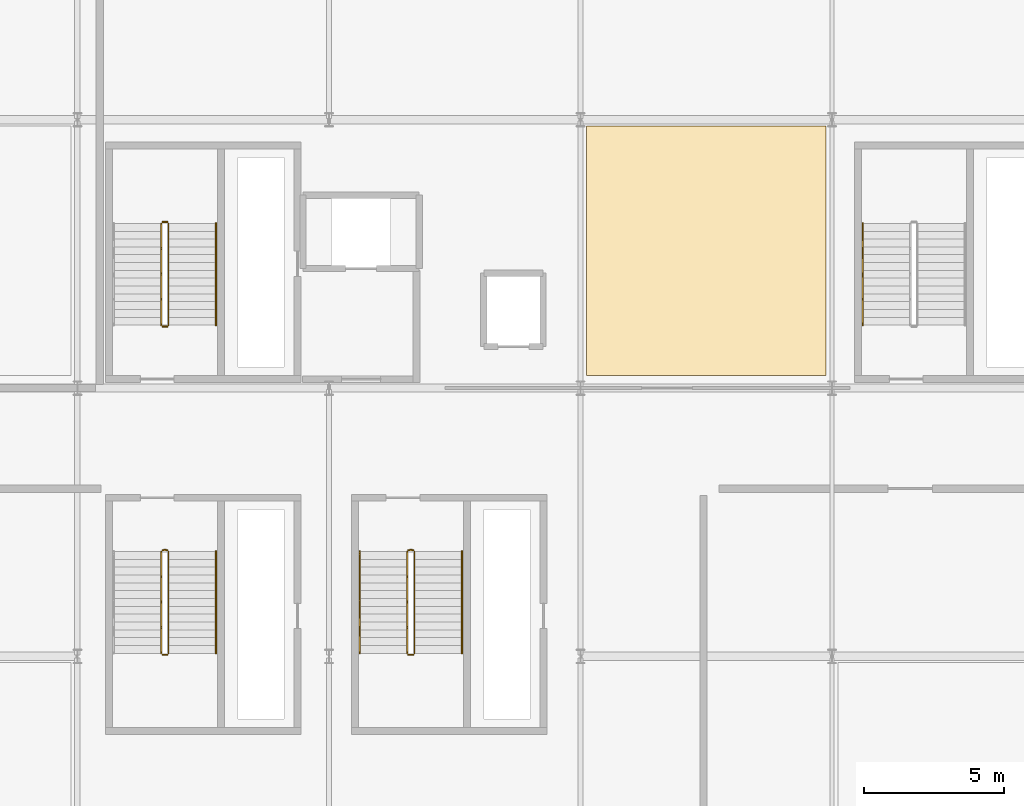
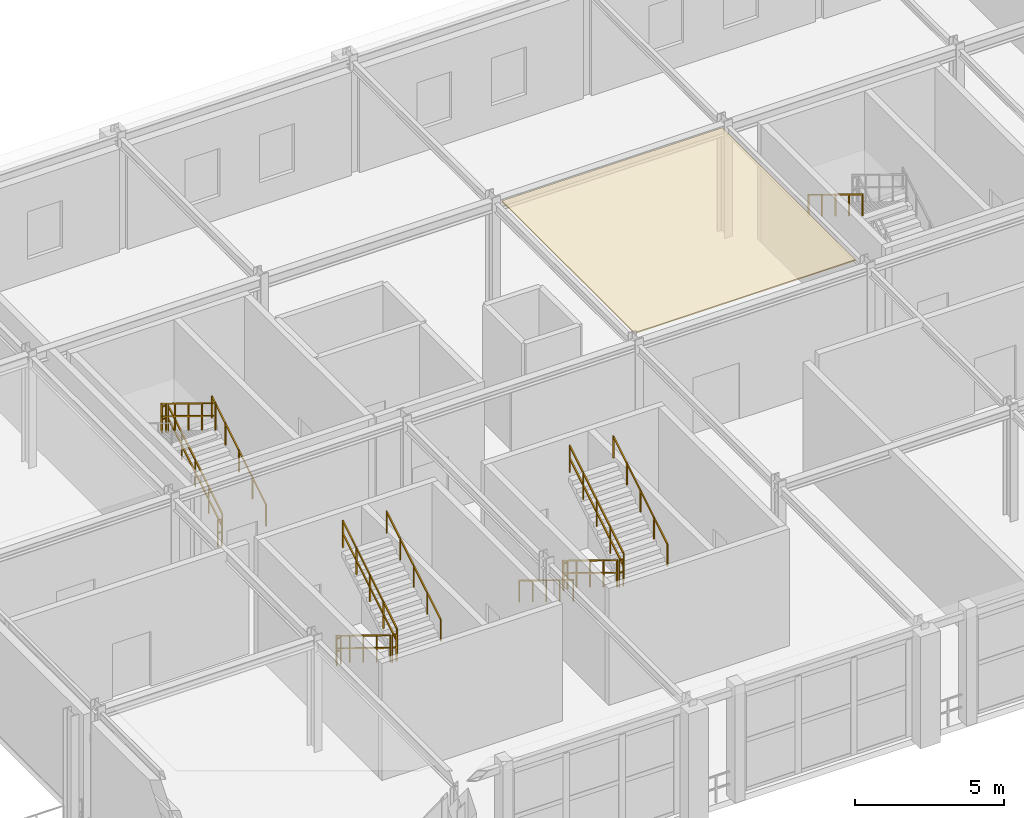
# One storey, part 120 of 125: 17 railings, 1 covering.
"""IFC4 building model written with IfcOpenShell, lengths in metres."""

from ifc_helpers import new_model, si_unit, direction, frame, origin, origin_2d, place, context, subcontext, project, spatial, polyline, rectangle, outline, extrude, material, layer, layer_set, type_object, element, save


model = new_model("IFC4")

# Units and contexts
model_context = context("Model", 3, precision=1e-05, world=origin(), true_north=direction((0.0, 1.0)))
body_context = subcontext(model_context, "Body", "Model", "MODEL_VIEW")
ifc_project = project(units=[si_unit("LENGTHUNIT", "METRE"), si_unit("AREAUNIT", "SQUARE_METRE"), si_unit("VOLUMEUNIT", "CUBIC_METRE"), si_unit("PLANEANGLEUNIT", "RADIAN"), si_unit("MASSUNIT", "GRAM", prefix="KILO")], contexts=[model_context])

# Site, building, storey
site_placement = place(None, origin())
site = spatial("IfcSite", under=ifc_project, at=site_placement, CompositionType="ELEMENT")
building_placement = place(site_placement, origin())
building = spatial("IfcBuilding", under=site, at=building_placement, Name="Myrtia Square Station", CompositionType="ELEMENT")
storey_placement = place(building_placement, frame((0.0, 0.0, 6.0)))
storey = spatial("IfcBuildingStorey", under=building, at=storey_placement, Name="L01", CompositionType="ELEMENT", Elevation=6.0)

# Covering
ifc_material_1 = material(Name="Acoustic European oak timber", Category="wood")
ifc_layer = layer(ifc_material_1, 0.044921875, Name="Acoustic European oak timber")
ifc_layer_set = layer_set([ifc_layer], Name="Acoustic European oak timber")
covering_type = type_object("IfcCoveringType", Name="COV-CEIL-OAK", PredefinedType="CEILING", material=ifc_layer_set)
covering_placement = place(storey_placement, frame((0.0, 0.0, 4.5048828125)))
element("IfcCovering", 1, at=covering_placement, inside=storey, type_object=covering_type, Name="Acoustic coffer ceiling L01-18", PredefinedType="CEILING", context=body_context, shape_type="SweptSolid", body=[
    extrude(outline(polyline([(144.219970703125, 106.050048828125), (144.219970703125, 114.97998046875), (152.780029296875, 114.97998046875), (152.780029296875, 106.050048828125), (144.219970703125, 106.050048828125)])), origin(), (0.0, 0.0, 1.0), 0.045166015625),
])

# Railings
ifc_material_2 = material(Name="Dark bronze anodised aluminium", Category="aluminium")
railing_type_1 = type_object("IfcRailingType", Name="RL-HANDRAIL-900", PredefinedType="HANDRAIL", material=ifc_material_2)
for number, where, name in (
    (2, (130.9599609375, 107.85009765625, 0.17138671875), "L01 ST07 stair handrail 1"),
    (3, (130.9599609375, 96.110107421875, 2.571533203125), "L01 ST12 stair handrail 2"),
):
    element("IfcRailing", number, at=place(storey_placement, frame(where)), inside=storey, type_object=railing_type_1, Name=name, PredefinedType="HANDRAIL", context=body_context, shape_type="SweptSolid", body=[
        extrude(rectangle(XDim=0.048095703125, YDim=0.048095703125, at=origin_2d()), frame((0.0, 0.029541015625, 0.89404296875), z_axis=(0.0, 0.852850264322, 0.5221555579), x_axis=(-1.0, 0.0, 0.0)), (0.0, 0.0, 1.0), 0.997802734375),
        extrude(rectangle(XDim=0.048095703125, YDim=0.048095703125, at=origin_2d()), frame((0.0, 0.939453125, 1.451171875), z_axis=(0.0, 0.852850264322, 0.5221555579), x_axis=(-1.0, 0.0, 0.0)), (0.0, 0.0, 1.0), 0.997802734375),
        extrude(rectangle(XDim=0.048095703125, YDim=0.048095703125, at=origin_2d()), frame((0.0, 1.849609375, 2.00830078125), z_axis=(0.0, 0.852850264322, 0.5221555579), x_axis=(-1.0, 0.0, 0.0)), (0.0, 0.0, 1.0), 0.997802734375),
        extrude(rectangle(XDim=0.048095703125, YDim=0.048095703125, at=origin_2d()), frame((0.0, 2.759521484375, 2.5654296875), z_axis=(0.0, 0.852850264322, 0.5221555579), x_axis=(-1.0, 0.0, 0.0)), (0.0, 0.0, 1.0), 0.997802734375),
        extrude(rectangle(XDim=0.0439453125, YDim=0.0439453125, at=origin_2d()), origin(), (0.0, 0.0, 1.0), 0.89990234375),
        extrude(rectangle(XDim=0.0439453125, YDim=0.0439453125, at=origin_2d()), frame((0.0, 0.909912109375, 0.55712890625)), (0.0, 0.0, 1.0), 0.89990234375),
        extrude(rectangle(XDim=0.0439453125, YDim=0.0439453125, at=origin_2d()), frame((0.0, 1.81982421875, 1.1142578125)), (0.0, 0.0, 1.0), 0.89990234375),
        extrude(rectangle(XDim=0.0439453125, YDim=0.0439453125, at=origin_2d()), frame((0.0, 2.72998046875, 1.67138671875)), (0.0, 0.0, 1.0), 0.89990234375),
        extrude(rectangle(XDim=0.0439453125, YDim=0.0439453125, at=origin_2d()), frame((0.0, 3.639892578125, 2.228515625)), (0.0, 0.0, 1.0), 0.89990234375),
    ])
railing_1_placement = place(storey_placement, frame((136.10009765625, 99.75, 0.17138671875)))
element("IfcRailing", 4, at=railing_1_placement, inside=storey, type_object=railing_type_1, Name="L01 ST13 stair handrail 1", PredefinedType="HANDRAIL", context=body_context, shape_type="SweptSolid", body=[
    extrude(rectangle(XDim=0.048095703125, YDim=0.048095703125, at=origin_2d()), frame((0.0, -0.029541015625, 0.89404296875), z_axis=(0.0, -0.852850264322, 0.5221555579), x_axis=(1.0, 0.0, 0.0)), (0.0, 0.0, 1.0), 0.997802734375),
    extrude(rectangle(XDim=0.048095703125, YDim=0.048095703125, at=origin_2d()), frame((0.0, -0.939453125, 1.451171875), z_axis=(0.0, -0.852850264322, 0.5221555579), x_axis=(1.0, 0.0, 0.0)), (0.0, 0.0, 1.0), 0.997802734375),
    extrude(rectangle(XDim=0.048095703125, YDim=0.048095703125, at=origin_2d()), frame((0.0, -1.849609375, 2.00830078125), z_axis=(0.0, -0.852850264322, 0.5221555579), x_axis=(1.0, 0.0, 0.0)), (0.0, 0.0, 1.0), 0.997802734375),
    extrude(rectangle(XDim=0.048095703125, YDim=0.048095703125, at=origin_2d()), frame((0.0, -2.759521484375, 2.5654296875), z_axis=(0.0, -0.852850264322, 0.5221555579), x_axis=(1.0, 0.0, 0.0)), (0.0, 0.0, 1.0), 0.997802734375),
    extrude(rectangle(XDim=0.0439453125, YDim=0.0439453125, at=origin_2d()), origin(), (0.0, 0.0, 1.0), 0.89990234375),
    extrude(rectangle(XDim=0.0439453125, YDim=0.0439453125, at=origin_2d()), frame((0.0, -0.909912109375, 0.55712890625)), (0.0, 0.0, 1.0), 0.89990234375),
    extrude(rectangle(XDim=0.0439453125, YDim=0.0439453125, at=origin_2d()), frame((0.0, -1.81982421875, 1.1142578125)), (0.0, 0.0, 1.0), 0.89990234375),
    extrude(rectangle(XDim=0.0439453125, YDim=0.0439453125, at=origin_2d()), frame((0.0, -2.72998046875, 1.67138671875)), (0.0, 0.0, 1.0), 0.89990234375),
    extrude(rectangle(XDim=0.0439453125, YDim=0.0439453125, at=origin_2d()), frame((0.0, -3.639892578125, 2.228515625)), (0.0, 0.0, 1.0), 0.89990234375),
])
railing_2_placement = place(storey_placement, frame((139.760009765625, 96.110107421875, 2.571533203125)))
element("IfcRailing", 5, at=railing_2_placement, inside=storey, type_object=railing_type_1, Name="L01 ST13 stair handrail 2", PredefinedType="HANDRAIL", context=body_context, shape_type="SweptSolid", body=[
    extrude(rectangle(XDim=0.048095703125, YDim=0.048095703125, at=origin_2d()), frame((0.0, 0.029541015625, 0.89404296875), z_axis=(0.0, 0.852850264322, 0.5221555579), x_axis=(-1.0, 0.0, 0.0)), (0.0, 0.0, 1.0), 0.997802734375),
    extrude(rectangle(XDim=0.048095703125, YDim=0.048095703125, at=origin_2d()), frame((0.0, 0.939453125, 1.451171875), z_axis=(0.0, 0.852850264322, 0.5221555579), x_axis=(-1.0, 0.0, 0.0)), (0.0, 0.0, 1.0), 0.997802734375),
    extrude(rectangle(XDim=0.048095703125, YDim=0.048095703125, at=origin_2d()), frame((0.0, 1.849609375, 2.00830078125), z_axis=(0.0, 0.852850264322, 0.5221555579), x_axis=(-1.0, 0.0, 0.0)), (0.0, 0.0, 1.0), 0.997802734375),
    extrude(rectangle(XDim=0.048095703125, YDim=0.048095703125, at=origin_2d()), frame((0.0, 2.759521484375, 2.5654296875), z_axis=(0.0, 0.852850264322, 0.5221555579), x_axis=(-1.0, 0.0, 0.0)), (0.0, 0.0, 1.0), 0.997802734375),
    extrude(rectangle(XDim=0.0439453125, YDim=0.0439453125, at=origin_2d()), origin(), (0.0, 0.0, 1.0), 0.89990234375),
    extrude(rectangle(XDim=0.0439453125, YDim=0.0439453125, at=origin_2d()), frame((0.0, 0.909912109375, 0.55712890625)), (0.0, 0.0, 1.0), 0.89990234375),
    extrude(rectangle(XDim=0.0439453125, YDim=0.0439453125, at=origin_2d()), frame((0.0, 1.81982421875, 1.1142578125)), (0.0, 0.0, 1.0), 0.89990234375),
    extrude(rectangle(XDim=0.0439453125, YDim=0.0439453125, at=origin_2d()), frame((0.0, 2.72998046875, 1.67138671875)), (0.0, 0.0, 1.0), 0.89990234375),
    extrude(rectangle(XDim=0.0439453125, YDim=0.0439453125, at=origin_2d()), frame((0.0, 3.639892578125, 2.228515625)), (0.0, 0.0, 1.0), 0.89990234375),
])
railing_3_placement = place(storey_placement, frame((154.10009765625, 111.489990234375, 2.571533203125)))
element("IfcRailing", 6, at=railing_3_placement, inside=storey, type_object=railing_type_1, Name="L01 ST15 stair handrail 2", PredefinedType="HANDRAIL", context=body_context, shape_type="SweptSolid", body=[
    extrude(rectangle(XDim=0.048095703125, YDim=0.048095703125, at=origin_2d()), frame((0.0, -0.029541015625, 0.89404296875), z_axis=(0.0, -0.852850264322, 0.5221555579), x_axis=(1.0, 0.0, 0.0)), (0.0, 0.0, 1.0), 0.997802734375),
    extrude(rectangle(XDim=0.048095703125, YDim=0.048095703125, at=origin_2d()), frame((0.0, -0.939453125, 1.451171875), z_axis=(0.0, -0.852850264322, 0.5221555579), x_axis=(1.0, 0.0, 0.0)), (0.0, 0.0, 1.0), 0.997802734375),
    extrude(rectangle(XDim=0.048095703125, YDim=0.048095703125, at=origin_2d()), frame((0.0, -1.849609375, 2.00830078125), z_axis=(0.0, -0.852850264322, 0.5221555579), x_axis=(1.0, 0.0, 0.0)), (0.0, 0.0, 1.0), 0.997802734375),
    extrude(rectangle(XDim=0.048095703125, YDim=0.048095703125, at=origin_2d()), frame((0.0, -2.759521484375, 2.5654296875), z_axis=(0.0, -0.852850264322, 0.5221555579), x_axis=(1.0, 0.0, 0.0)), (0.0, 0.0, 1.0), 0.997802734375),
    extrude(rectangle(XDim=0.0439453125, YDim=0.0439453125, at=origin_2d()), origin(), (0.0, 0.0, 1.0), 0.89990234375),
    extrude(rectangle(XDim=0.0439453125, YDim=0.0439453125, at=origin_2d()), frame((0.0, -0.909912109375, 0.55712890625)), (0.0, 0.0, 1.0), 0.89990234375),
    extrude(rectangle(XDim=0.0439453125, YDim=0.0439453125, at=origin_2d()), frame((0.0, -1.81982421875, 1.1142578125)), (0.0, 0.0, 1.0), 0.89990234375),
    extrude(rectangle(XDim=0.0439453125, YDim=0.0439453125, at=origin_2d()), frame((0.0, -2.72998046875, 1.67138671875)), (0.0, 0.0, 1.0), 0.89990234375),
    extrude(rectangle(XDim=0.0439453125, YDim=0.0439453125, at=origin_2d()), frame((0.0, -3.639892578125, 2.228515625)), (0.0, 0.0, 1.0), 0.89990234375),
])
ifc_material_3 = material(Name="Wrought iron", Category="steel")
railing_type_2 = type_object("IfcRailingType", Name="RL-INT-GUARD-1100", PredefinedType="BALUSTRADE", material=ifc_material_3)
railing_4_placement = place(storey_placement, frame((129.260009765625, 107.85009765625, 0.17138671875)))
element("IfcRailing", 7, at=railing_4_placement, inside=storey, type_object=railing_type_2, Name="L01 ST07 stair guard 1", PredefinedType="BALUSTRADE", context=body_context, shape_type="SweptSolid", body=[
    extrude(rectangle(XDim=0.048095703125, YDim=0.048095703125, at=origin_2d()), frame((0.0, 0.029541015625, 1.1142578125), z_axis=(0.0, 0.852850264322, 0.5221555579), x_axis=(-1.0, 0.0, 0.0)), (0.0, 0.0, 1.0), 0.997802734375),
    extrude(rectangle(XDim=0.048095703125, YDim=0.048095703125, at=origin_2d()), frame((0.0, 0.029541015625, 0.6005859375), z_axis=(0.0, 0.852850264322, 0.5221555579), x_axis=(-1.0, 0.0, 0.0)), (0.0, 0.0, 1.0), 0.997802734375),
    extrude(rectangle(XDim=0.048095703125, YDim=0.048095703125, at=origin_2d()), frame((0.0, 0.939453125, 1.67138671875), z_axis=(0.0, 0.852850264322, 0.5221555579), x_axis=(-1.0, 0.0, 0.0)), (0.0, 0.0, 1.0), 0.997802734375),
    extrude(rectangle(XDim=0.048095703125, YDim=0.048095703125, at=origin_2d()), frame((0.0, 0.939453125, 1.15771484375), z_axis=(0.0, 0.852850264322, 0.5221555579), x_axis=(-1.0, 0.0, 0.0)), (0.0, 0.0, 1.0), 0.997802734375),
    extrude(rectangle(XDim=0.048095703125, YDim=0.048095703125, at=origin_2d()), frame((0.0, 1.849609375, 2.228515625), z_axis=(0.0, 0.852850264322, 0.5221555579), x_axis=(-1.0, 0.0, 0.0)), (0.0, 0.0, 1.0), 0.997802734375),
    extrude(rectangle(XDim=0.048095703125, YDim=0.048095703125, at=origin_2d()), frame((0.0, 1.849609375, 1.71484375), z_axis=(0.0, 0.852850264322, 0.5221555579), x_axis=(-1.0, 0.0, 0.0)), (0.0, 0.0, 1.0), 0.997802734375),
    extrude(rectangle(XDim=0.048095703125, YDim=0.048095703125, at=origin_2d()), frame((0.0, 2.759521484375, 2.78564453125), z_axis=(0.0, 0.852850264322, 0.5221555579), x_axis=(-1.0, 0.0, 0.0)), (0.0, 0.0, 1.0), 0.997802734375),
    extrude(rectangle(XDim=0.048095703125, YDim=0.048095703125, at=origin_2d()), frame((0.0, 2.759521484375, 2.27197265625), z_axis=(0.0, 0.852850264322, 0.5221555579), x_axis=(-1.0, 0.0, 0.0)), (0.0, 0.0, 1.0), 0.997802734375),
    extrude(rectangle(XDim=0.0439453125, YDim=0.0439453125, at=origin_2d()), origin(), (0.0, 0.0, 1.0), 1.1201171875),
    extrude(rectangle(XDim=0.0439453125, YDim=0.0439453125, at=origin_2d()), frame((0.0, 0.909912109375, 0.55712890625)), (0.0, 0.0, 1.0), 1.1201171875),
    extrude(rectangle(XDim=0.0439453125, YDim=0.0439453125, at=origin_2d()), frame((0.0, 1.81982421875, 1.1142578125)), (0.0, 0.0, 1.0), 1.1201171875),
    extrude(rectangle(XDim=0.0439453125, YDim=0.0439453125, at=origin_2d()), frame((0.0, 2.72998046875, 1.67138671875)), (0.0, 0.0, 1.0), 1.1201171875),
    extrude(rectangle(XDim=0.0439453125, YDim=0.0439453125, at=origin_2d()), frame((0.0, 3.639892578125, 2.228515625)), (0.0, 0.0, 1.0), 1.1201171875),
])
railing_5_placement = place(storey_placement, frame((129.2099609375, 111.5400390625, 2.39990234375)))
element("IfcRailing", 8, at=railing_5_placement, inside=storey, type_object=railing_type_2, Name="L01 ST07 stair guard 2", PredefinedType="BALUSTRADE", context=body_context, shape_type="SweptSolid", body=[
    extrude(rectangle(XDim=0.048095703125, YDim=0.048095703125, at=origin_2d()), frame((-0.03466796875, 0.0, 1.09619140625), z_axis=(-1.0, 0.0, 0.0), x_axis=(0.0, -1.0, 0.0)), (0.0, 0.0, 1.0), 0.090576171875),
    extrude(rectangle(XDim=0.048095703125, YDim=0.048095703125, at=origin_2d()), frame((-0.03466796875, 0.0, 0.58251953125), z_axis=(-1.0, 0.0, 0.0), x_axis=(0.0, -1.0, 0.0)), (0.0, 0.0, 1.0), 0.090576171875),
    extrude(rectangle(XDim=0.0439453125, YDim=0.0439453125, at=origin_2d()), origin(), (0.0, 0.0, 1.0), 1.1201171875),
    extrude(rectangle(XDim=0.0439453125, YDim=0.0439453125, at=origin_2d()), frame((-0.159912109375, 0.0, 0.0)), (0.0, 0.0, 1.0), 1.1201171875),
])
railing_6_placement = place(storey_placement, frame((129.0, 111.489990234375, 2.571533203125)))
element("IfcRailing", 9, at=railing_6_placement, inside=storey, type_object=railing_type_2, Name="L01 ST07 stair guard 3", PredefinedType="BALUSTRADE", context=body_context, shape_type="SweptSolid", body=[
    extrude(rectangle(XDim=0.048095703125, YDim=0.048095703125, at=origin_2d()), frame((0.0, -0.029541015625, 1.1142578125), z_axis=(0.0, -0.852850264322, 0.5221555579), x_axis=(1.0, 0.0, 0.0)), (0.0, 0.0, 1.0), 0.997802734375),
    extrude(rectangle(XDim=0.048095703125, YDim=0.048095703125, at=origin_2d()), frame((0.0, -0.029541015625, 0.6005859375), z_axis=(0.0, -0.852850264322, 0.5221555579), x_axis=(1.0, 0.0, 0.0)), (0.0, 0.0, 1.0), 0.997802734375),
    extrude(rectangle(XDim=0.048095703125, YDim=0.048095703125, at=origin_2d()), frame((0.0, -0.939453125, 1.67138671875), z_axis=(0.0, -0.852850264322, 0.5221555579), x_axis=(1.0, 0.0, 0.0)), (0.0, 0.0, 1.0), 0.997802734375),
    extrude(rectangle(XDim=0.048095703125, YDim=0.048095703125, at=origin_2d()), frame((0.0, -0.939453125, 1.15771484375), z_axis=(0.0, -0.852850264322, 0.5221555579), x_axis=(1.0, 0.0, 0.0)), (0.0, 0.0, 1.0), 0.997802734375),
    extrude(rectangle(XDim=0.048095703125, YDim=0.048095703125, at=origin_2d()), frame((0.0, -1.849609375, 2.228515625), z_axis=(0.0, -0.852850264322, 0.5221555579), x_axis=(1.0, 0.0, 0.0)), (0.0, 0.0, 1.0), 0.997802734375),
    extrude(rectangle(XDim=0.048095703125, YDim=0.048095703125, at=origin_2d()), frame((0.0, -1.849609375, 1.71484375), z_axis=(0.0, -0.852850264322, 0.5221555579), x_axis=(1.0, 0.0, 0.0)), (0.0, 0.0, 1.0), 0.997802734375),
    extrude(rectangle(XDim=0.048095703125, YDim=0.048095703125, at=origin_2d()), frame((0.0, -2.759521484375, 2.78564453125), z_axis=(0.0, -0.852850264322, 0.5221555579), x_axis=(1.0, 0.0, 0.0)), (0.0, 0.0, 1.0), 0.997802734375),
    extrude(rectangle(XDim=0.048095703125, YDim=0.048095703125, at=origin_2d()), frame((0.0, -2.759521484375, 2.27197265625), z_axis=(0.0, -0.852850264322, 0.5221555579), x_axis=(1.0, 0.0, 0.0)), (0.0, 0.0, 1.0), 0.997802734375),
    extrude(rectangle(XDim=0.0439453125, YDim=0.0439453125, at=origin_2d()), origin(), (0.0, 0.0, 1.0), 1.1201171875),
    extrude(rectangle(XDim=0.0439453125, YDim=0.0439453125, at=origin_2d()), frame((0.0, -0.909912109375, 0.55712890625)), (0.0, 0.0, 1.0), 1.1201171875),
    extrude(rectangle(XDim=0.0439453125, YDim=0.0439453125, at=origin_2d()), frame((0.0, -1.81982421875, 1.1142578125)), (0.0, 0.0, 1.0), 1.1201171875),
    extrude(rectangle(XDim=0.0439453125, YDim=0.0439453125, at=origin_2d()), frame((0.0, -2.72998046875, 1.67138671875)), (0.0, 0.0, 1.0), 1.1201171875),
    extrude(rectangle(XDim=0.0439453125, YDim=0.0439453125, at=origin_2d()), frame((0.0, -3.639892578125, 2.228515625)), (0.0, 0.0, 1.0), 1.1201171875),
])
railing_7_placement = place(storey_placement, frame((129.2099609375, 107.800048828125, 0.0)))
element("IfcRailing", 10, at=railing_7_placement, inside=storey, type_object=railing_type_2, Name="L01 ST07 stair guard 4", PredefinedType="BALUSTRADE", context=body_context, shape_type="SweptSolid", body=[
    extrude(rectangle(XDim=0.048095703125, YDim=0.048095703125, at=origin_2d()), frame((-0.03466796875, 0.0, 1.09619140625), z_axis=(-1.0, 0.0, 0.0), x_axis=(0.0, -1.0, 0.0)), (0.0, 0.0, 1.0), 0.090576171875),
    extrude(rectangle(XDim=0.048095703125, YDim=0.048095703125, at=origin_2d()), frame((-0.03466796875, 0.0, 0.58251953125), z_axis=(-1.0, 0.0, 0.0), x_axis=(0.0, -1.0, 0.0)), (0.0, 0.0, 1.0), 0.090576171875),
    extrude(rectangle(XDim=0.0439453125, YDim=0.0439453125, at=origin_2d()), origin(), (0.0, 0.0, 1.0), 1.1201171875),
    extrude(rectangle(XDim=0.0439453125, YDim=0.0439453125, at=origin_2d()), frame((-0.159912109375, 0.0, 0.0)), (0.0, 0.0, 1.0), 1.1201171875),
])
railing_8_placement = place(storey_placement, frame((129.0, 99.75, 0.17138671875)))
element("IfcRailing", 11, at=railing_8_placement, inside=storey, type_object=railing_type_2, Name="L01 ST12 stair guard 1", PredefinedType="BALUSTRADE", context=body_context, shape_type="SweptSolid", body=[
    extrude(rectangle(XDim=0.048095703125, YDim=0.048095703125, at=origin_2d()), frame((0.0, -0.029541015625, 1.1142578125), z_axis=(0.0, -0.852850264322, 0.5221555579), x_axis=(1.0, 0.0, 0.0)), (0.0, 0.0, 1.0), 0.997802734375),
    extrude(rectangle(XDim=0.048095703125, YDim=0.048095703125, at=origin_2d()), frame((0.0, -0.029541015625, 0.6005859375), z_axis=(0.0, -0.852850264322, 0.5221555579), x_axis=(1.0, 0.0, 0.0)), (0.0, 0.0, 1.0), 0.997802734375),
    extrude(rectangle(XDim=0.048095703125, YDim=0.048095703125, at=origin_2d()), frame((0.0, -0.939453125, 1.67138671875), z_axis=(0.0, -0.852850264322, 0.5221555579), x_axis=(1.0, 0.0, 0.0)), (0.0, 0.0, 1.0), 0.997802734375),
    extrude(rectangle(XDim=0.048095703125, YDim=0.048095703125, at=origin_2d()), frame((0.0, -0.939453125, 1.15771484375), z_axis=(0.0, -0.852850264322, 0.5221555579), x_axis=(1.0, 0.0, 0.0)), (0.0, 0.0, 1.0), 0.997802734375),
    extrude(rectangle(XDim=0.048095703125, YDim=0.048095703125, at=origin_2d()), frame((0.0, -1.849609375, 2.228515625), z_axis=(0.0, -0.852850264322, 0.5221555579), x_axis=(1.0, 0.0, 0.0)), (0.0, 0.0, 1.0), 0.997802734375),
    extrude(rectangle(XDim=0.048095703125, YDim=0.048095703125, at=origin_2d()), frame((0.0, -1.849609375, 1.71484375), z_axis=(0.0, -0.852850264322, 0.5221555579), x_axis=(1.0, 0.0, 0.0)), (0.0, 0.0, 1.0), 0.997802734375),
    extrude(rectangle(XDim=0.048095703125, YDim=0.048095703125, at=origin_2d()), frame((0.0, -2.759521484375, 2.78564453125), z_axis=(0.0, -0.852850264322, 0.5221555579), x_axis=(1.0, 0.0, 0.0)), (0.0, 0.0, 1.0), 0.997802734375),
    extrude(rectangle(XDim=0.048095703125, YDim=0.048095703125, at=origin_2d()), frame((0.0, -2.759521484375, 2.27197265625), z_axis=(0.0, -0.852850264322, 0.5221555579), x_axis=(1.0, 0.0, 0.0)), (0.0, 0.0, 1.0), 0.997802734375),
    extrude(rectangle(XDim=0.0439453125, YDim=0.0439453125, at=origin_2d()), origin(), (0.0, 0.0, 1.0), 1.1201171875),
    extrude(rectangle(XDim=0.0439453125, YDim=0.0439453125, at=origin_2d()), frame((0.0, -0.909912109375, 0.55712890625)), (0.0, 0.0, 1.0), 1.1201171875),
    extrude(rectangle(XDim=0.0439453125, YDim=0.0439453125, at=origin_2d()), frame((0.0, -1.81982421875, 1.1142578125)), (0.0, 0.0, 1.0), 1.1201171875),
    extrude(rectangle(XDim=0.0439453125, YDim=0.0439453125, at=origin_2d()), frame((0.0, -2.72998046875, 1.67138671875)), (0.0, 0.0, 1.0), 1.1201171875),
    extrude(rectangle(XDim=0.0439453125, YDim=0.0439453125, at=origin_2d()), frame((0.0, -3.639892578125, 2.228515625)), (0.0, 0.0, 1.0), 1.1201171875),
])
railing_9_placement = place(storey_placement, frame((129.050048828125, 96.06005859375, 2.39990234375)))
element("IfcRailing", 12, at=railing_9_placement, inside=storey, type_object=railing_type_2, Name="L01 ST12 stair guard 2", PredefinedType="BALUSTRADE", context=body_context, shape_type="SweptSolid", body=[
    extrude(rectangle(XDim=0.048095703125, YDim=0.048095703125, at=origin_2d()), frame((0.03466796875, 0.0, 1.09619140625), z_axis=(1.0, 0.0, 0.0), x_axis=(0.0, 1.0, 0.0)), (0.0, 0.0, 1.0), 0.090576171875),
    extrude(rectangle(XDim=0.048095703125, YDim=0.048095703125, at=origin_2d()), frame((0.03466796875, 0.0, 0.58251953125), z_axis=(1.0, 0.0, 0.0), x_axis=(0.0, 1.0, 0.0)), (0.0, 0.0, 1.0), 0.090576171875),
    extrude(rectangle(XDim=0.0439453125, YDim=0.0439453125, at=origin_2d()), origin(), (0.0, 0.0, 1.0), 1.1201171875),
    extrude(rectangle(XDim=0.0439453125, YDim=0.0439453125, at=origin_2d()), frame((0.159912109375, 0.0, 0.0)), (0.0, 0.0, 1.0), 1.1201171875),
])
railing_10_placement = place(storey_placement, frame((129.260009765625, 96.110107421875, 2.571533203125)))
element("IfcRailing", 13, at=railing_10_placement, inside=storey, type_object=railing_type_2, Name="L01 ST12 stair guard 3", PredefinedType="BALUSTRADE", context=body_context, shape_type="SweptSolid", body=[
    extrude(rectangle(XDim=0.048095703125, YDim=0.048095703125, at=origin_2d()), frame((0.0, 0.029541015625, 1.1142578125), z_axis=(0.0, 0.852850264322, 0.5221555579), x_axis=(-1.0, 0.0, 0.0)), (0.0, 0.0, 1.0), 0.997802734375),
    extrude(rectangle(XDim=0.048095703125, YDim=0.048095703125, at=origin_2d()), frame((0.0, 0.029541015625, 0.6005859375), z_axis=(0.0, 0.852850264322, 0.5221555579), x_axis=(-1.0, 0.0, 0.0)), (0.0, 0.0, 1.0), 0.997802734375),
    extrude(rectangle(XDim=0.048095703125, YDim=0.048095703125, at=origin_2d()), frame((0.0, 0.939453125, 1.67138671875), z_axis=(0.0, 0.852850264322, 0.5221555579), x_axis=(-1.0, 0.0, 0.0)), (0.0, 0.0, 1.0), 0.997802734375),
    extrude(rectangle(XDim=0.048095703125, YDim=0.048095703125, at=origin_2d()), frame((0.0, 0.939453125, 1.15771484375), z_axis=(0.0, 0.852850264322, 0.5221555579), x_axis=(-1.0, 0.0, 0.0)), (0.0, 0.0, 1.0), 0.997802734375),
    extrude(rectangle(XDim=0.048095703125, YDim=0.048095703125, at=origin_2d()), frame((0.0, 1.849609375, 2.228515625), z_axis=(0.0, 0.852850264322, 0.5221555579), x_axis=(-1.0, 0.0, 0.0)), (0.0, 0.0, 1.0), 0.997802734375),
    extrude(rectangle(XDim=0.048095703125, YDim=0.048095703125, at=origin_2d()), frame((0.0, 1.849609375, 1.71484375), z_axis=(0.0, 0.852850264322, 0.5221555579), x_axis=(-1.0, 0.0, 0.0)), (0.0, 0.0, 1.0), 0.997802734375),
    extrude(rectangle(XDim=0.048095703125, YDim=0.048095703125, at=origin_2d()), frame((0.0, 2.759521484375, 2.78564453125), z_axis=(0.0, 0.852850264322, 0.5221555579), x_axis=(-1.0, 0.0, 0.0)), (0.0, 0.0, 1.0), 0.997802734375),
    extrude(rectangle(XDim=0.048095703125, YDim=0.048095703125, at=origin_2d()), frame((0.0, 2.759521484375, 2.27197265625), z_axis=(0.0, 0.852850264322, 0.5221555579), x_axis=(-1.0, 0.0, 0.0)), (0.0, 0.0, 1.0), 0.997802734375),
    extrude(rectangle(XDim=0.0439453125, YDim=0.0439453125, at=origin_2d()), origin(), (0.0, 0.0, 1.0), 1.1201171875),
    extrude(rectangle(XDim=0.0439453125, YDim=0.0439453125, at=origin_2d()), frame((0.0, 0.909912109375, 0.55712890625)), (0.0, 0.0, 1.0), 1.1201171875),
    extrude(rectangle(XDim=0.0439453125, YDim=0.0439453125, at=origin_2d()), frame((0.0, 1.81982421875, 1.1142578125)), (0.0, 0.0, 1.0), 1.1201171875),
    extrude(rectangle(XDim=0.0439453125, YDim=0.0439453125, at=origin_2d()), frame((0.0, 2.72998046875, 1.67138671875)), (0.0, 0.0, 1.0), 1.1201171875),
    extrude(rectangle(XDim=0.0439453125, YDim=0.0439453125, at=origin_2d()), frame((0.0, 3.639892578125, 2.228515625)), (0.0, 0.0, 1.0), 1.1201171875),
])
railing_11_placement = place(storey_placement, frame((129.050048828125, 99.800048828125, 0.0)))
element("IfcRailing", 14, at=railing_11_placement, inside=storey, type_object=railing_type_2, Name="L01 ST12 stair guard 4", PredefinedType="BALUSTRADE", context=body_context, shape_type="SweptSolid", body=[
    extrude(rectangle(XDim=0.048095703125, YDim=0.048095703125, at=origin_2d()), frame((0.03466796875, 0.0, 1.09619140625), z_axis=(1.0, 0.0, 0.0), x_axis=(0.0, 1.0, 0.0)), (0.0, 0.0, 1.0), 0.090576171875),
    extrude(rectangle(XDim=0.048095703125, YDim=0.048095703125, at=origin_2d()), frame((0.03466796875, 0.0, 0.58251953125), z_axis=(1.0, 0.0, 0.0), x_axis=(0.0, 1.0, 0.0)), (0.0, 0.0, 1.0), 0.090576171875),
    extrude(rectangle(XDim=0.0439453125, YDim=0.0439453125, at=origin_2d()), origin(), (0.0, 0.0, 1.0), 1.1201171875),
    extrude(rectangle(XDim=0.0439453125, YDim=0.0439453125, at=origin_2d()), frame((0.159912109375, 0.0, 0.0)), (0.0, 0.0, 1.0), 1.1201171875),
])
railing_12_placement = place(storey_placement, frame((137.800048828125, 99.75, 0.17138671875)))
element("IfcRailing", 15, at=railing_12_placement, inside=storey, type_object=railing_type_2, Name="L01 ST13 stair guard 1", PredefinedType="BALUSTRADE", context=body_context, shape_type="SweptSolid", body=[
    extrude(rectangle(XDim=0.048095703125, YDim=0.048095703125, at=origin_2d()), frame((0.0, -0.029541015625, 1.1142578125), z_axis=(0.0, -0.852850264322, 0.5221555579), x_axis=(1.0, 0.0, 0.0)), (0.0, 0.0, 1.0), 0.997802734375),
    extrude(rectangle(XDim=0.048095703125, YDim=0.048095703125, at=origin_2d()), frame((0.0, -0.029541015625, 0.6005859375), z_axis=(0.0, -0.852850264322, 0.5221555579), x_axis=(1.0, 0.0, 0.0)), (0.0, 0.0, 1.0), 0.997802734375),
    extrude(rectangle(XDim=0.048095703125, YDim=0.048095703125, at=origin_2d()), frame((0.0, -0.939453125, 1.67138671875), z_axis=(0.0, -0.852850264322, 0.5221555579), x_axis=(1.0, 0.0, 0.0)), (0.0, 0.0, 1.0), 0.997802734375),
    extrude(rectangle(XDim=0.048095703125, YDim=0.048095703125, at=origin_2d()), frame((0.0, -0.939453125, 1.15771484375), z_axis=(0.0, -0.852850264322, 0.5221555579), x_axis=(1.0, 0.0, 0.0)), (0.0, 0.0, 1.0), 0.997802734375),
    extrude(rectangle(XDim=0.048095703125, YDim=0.048095703125, at=origin_2d()), frame((0.0, -1.849609375, 2.228515625), z_axis=(0.0, -0.852850264322, 0.5221555579), x_axis=(1.0, 0.0, 0.0)), (0.0, 0.0, 1.0), 0.997802734375),
    extrude(rectangle(XDim=0.048095703125, YDim=0.048095703125, at=origin_2d()), frame((0.0, -1.849609375, 1.71484375), z_axis=(0.0, -0.852850264322, 0.5221555579), x_axis=(1.0, 0.0, 0.0)), (0.0, 0.0, 1.0), 0.997802734375),
    extrude(rectangle(XDim=0.048095703125, YDim=0.048095703125, at=origin_2d()), frame((0.0, -2.759521484375, 2.78564453125), z_axis=(0.0, -0.852850264322, 0.5221555579), x_axis=(1.0, 0.0, 0.0)), (0.0, 0.0, 1.0), 0.997802734375),
    extrude(rectangle(XDim=0.048095703125, YDim=0.048095703125, at=origin_2d()), frame((0.0, -2.759521484375, 2.27197265625), z_axis=(0.0, -0.852850264322, 0.5221555579), x_axis=(1.0, 0.0, 0.0)), (0.0, 0.0, 1.0), 0.997802734375),
    extrude(rectangle(XDim=0.0439453125, YDim=0.0439453125, at=origin_2d()), origin(), (0.0, 0.0, 1.0), 1.1201171875),
    extrude(rectangle(XDim=0.0439453125, YDim=0.0439453125, at=origin_2d()), frame((0.0, -0.909912109375, 0.55712890625)), (0.0, 0.0, 1.0), 1.1201171875),
    extrude(rectangle(XDim=0.0439453125, YDim=0.0439453125, at=origin_2d()), frame((0.0, -1.81982421875, 1.1142578125)), (0.0, 0.0, 1.0), 1.1201171875),
    extrude(rectangle(XDim=0.0439453125, YDim=0.0439453125, at=origin_2d()), frame((0.0, -2.72998046875, 1.67138671875)), (0.0, 0.0, 1.0), 1.1201171875),
    extrude(rectangle(XDim=0.0439453125, YDim=0.0439453125, at=origin_2d()), frame((0.0, -3.639892578125, 2.228515625)), (0.0, 0.0, 1.0), 1.1201171875),
])
railing_13_placement = place(storey_placement, frame((137.85009765625, 96.06005859375, 2.39990234375)))
element("IfcRailing", 16, at=railing_13_placement, inside=storey, type_object=railing_type_2, Name="L01 ST13 stair guard 2", PredefinedType="BALUSTRADE", context=body_context, shape_type="SweptSolid", body=[
    extrude(rectangle(XDim=0.048095703125, YDim=0.048095703125, at=origin_2d()), frame((0.03466796875, 0.0, 1.09619140625), z_axis=(1.0, 0.0, 0.0), x_axis=(0.0, 1.0, 0.0)), (0.0, 0.0, 1.0), 0.090576171875),
    extrude(rectangle(XDim=0.048095703125, YDim=0.048095703125, at=origin_2d()), frame((0.03466796875, 0.0, 0.58251953125), z_axis=(1.0, 0.0, 0.0), x_axis=(0.0, 1.0, 0.0)), (0.0, 0.0, 1.0), 0.090576171875),
    extrude(rectangle(XDim=0.0439453125, YDim=0.0439453125, at=origin_2d()), origin(), (0.0, 0.0, 1.0), 1.1201171875),
    extrude(rectangle(XDim=0.0439453125, YDim=0.0439453125, at=origin_2d()), frame((0.159912109375, 0.0, 0.0)), (0.0, 0.0, 1.0), 1.1201171875),
])
railing_14_placement = place(storey_placement, frame((138.06005859375, 96.110107421875, 2.571533203125)))
element("IfcRailing", 17, at=railing_14_placement, inside=storey, type_object=railing_type_2, Name="L01 ST13 stair guard 3", PredefinedType="BALUSTRADE", context=body_context, shape_type="SweptSolid", body=[
    extrude(rectangle(XDim=0.048095703125, YDim=0.048095703125, at=origin_2d()), frame((0.0, 0.029541015625, 1.1142578125), z_axis=(0.0, 0.852850264322, 0.5221555579), x_axis=(-1.0, 0.0, 0.0)), (0.0, 0.0, 1.0), 0.997802734375),
    extrude(rectangle(XDim=0.048095703125, YDim=0.048095703125, at=origin_2d()), frame((0.0, 0.029541015625, 0.6005859375), z_axis=(0.0, 0.852850264322, 0.5221555579), x_axis=(-1.0, 0.0, 0.0)), (0.0, 0.0, 1.0), 0.997802734375),
    extrude(rectangle(XDim=0.048095703125, YDim=0.048095703125, at=origin_2d()), frame((0.0, 0.939453125, 1.67138671875), z_axis=(0.0, 0.852850264322, 0.5221555579), x_axis=(-1.0, 0.0, 0.0)), (0.0, 0.0, 1.0), 0.997802734375),
    extrude(rectangle(XDim=0.048095703125, YDim=0.048095703125, at=origin_2d()), frame((0.0, 0.939453125, 1.15771484375), z_axis=(0.0, 0.852850264322, 0.5221555579), x_axis=(-1.0, 0.0, 0.0)), (0.0, 0.0, 1.0), 0.997802734375),
    extrude(rectangle(XDim=0.048095703125, YDim=0.048095703125, at=origin_2d()), frame((0.0, 1.849609375, 2.228515625), z_axis=(0.0, 0.852850264322, 0.5221555579), x_axis=(-1.0, 0.0, 0.0)), (0.0, 0.0, 1.0), 0.997802734375),
    extrude(rectangle(XDim=0.048095703125, YDim=0.048095703125, at=origin_2d()), frame((0.0, 1.849609375, 1.71484375), z_axis=(0.0, 0.852850264322, 0.5221555579), x_axis=(-1.0, 0.0, 0.0)), (0.0, 0.0, 1.0), 0.997802734375),
    extrude(rectangle(XDim=0.048095703125, YDim=0.048095703125, at=origin_2d()), frame((0.0, 2.759521484375, 2.78564453125), z_axis=(0.0, 0.852850264322, 0.5221555579), x_axis=(-1.0, 0.0, 0.0)), (0.0, 0.0, 1.0), 0.997802734375),
    extrude(rectangle(XDim=0.048095703125, YDim=0.048095703125, at=origin_2d()), frame((0.0, 2.759521484375, 2.27197265625), z_axis=(0.0, 0.852850264322, 0.5221555579), x_axis=(-1.0, 0.0, 0.0)), (0.0, 0.0, 1.0), 0.997802734375),
    extrude(rectangle(XDim=0.0439453125, YDim=0.0439453125, at=origin_2d()), origin(), (0.0, 0.0, 1.0), 1.1201171875),
    extrude(rectangle(XDim=0.0439453125, YDim=0.0439453125, at=origin_2d()), frame((0.0, 0.909912109375, 0.55712890625)), (0.0, 0.0, 1.0), 1.1201171875),
    extrude(rectangle(XDim=0.0439453125, YDim=0.0439453125, at=origin_2d()), frame((0.0, 1.81982421875, 1.1142578125)), (0.0, 0.0, 1.0), 1.1201171875),
    extrude(rectangle(XDim=0.0439453125, YDim=0.0439453125, at=origin_2d()), frame((0.0, 2.72998046875, 1.67138671875)), (0.0, 0.0, 1.0), 1.1201171875),
    extrude(rectangle(XDim=0.0439453125, YDim=0.0439453125, at=origin_2d()), frame((0.0, 3.639892578125, 2.228515625)), (0.0, 0.0, 1.0), 1.1201171875),
])
railing_15_placement = place(storey_placement, frame((137.85009765625, 99.800048828125, 0.0)))
element("IfcRailing", 18, at=railing_15_placement, inside=storey, type_object=railing_type_2, Name="L01 ST13 stair guard 4", PredefinedType="BALUSTRADE", context=body_context, shape_type="SweptSolid", body=[
    extrude(rectangle(XDim=0.048095703125, YDim=0.048095703125, at=origin_2d()), frame((0.03466796875, 0.0, 1.09619140625), z_axis=(1.0, 0.0, 0.0), x_axis=(0.0, 1.0, 0.0)), (0.0, 0.0, 1.0), 0.090576171875),
    extrude(rectangle(XDim=0.048095703125, YDim=0.048095703125, at=origin_2d()), frame((0.03466796875, 0.0, 0.58251953125), z_axis=(1.0, 0.0, 0.0), x_axis=(0.0, 1.0, 0.0)), (0.0, 0.0, 1.0), 0.090576171875),
    extrude(rectangle(XDim=0.0439453125, YDim=0.0439453125, at=origin_2d()), origin(), (0.0, 0.0, 1.0), 1.1201171875),
    extrude(rectangle(XDim=0.0439453125, YDim=0.0439453125, at=origin_2d()), frame((0.159912109375, 0.0, 0.0)), (0.0, 0.0, 1.0), 1.1201171875),
])

save(model, "model.ifc")
